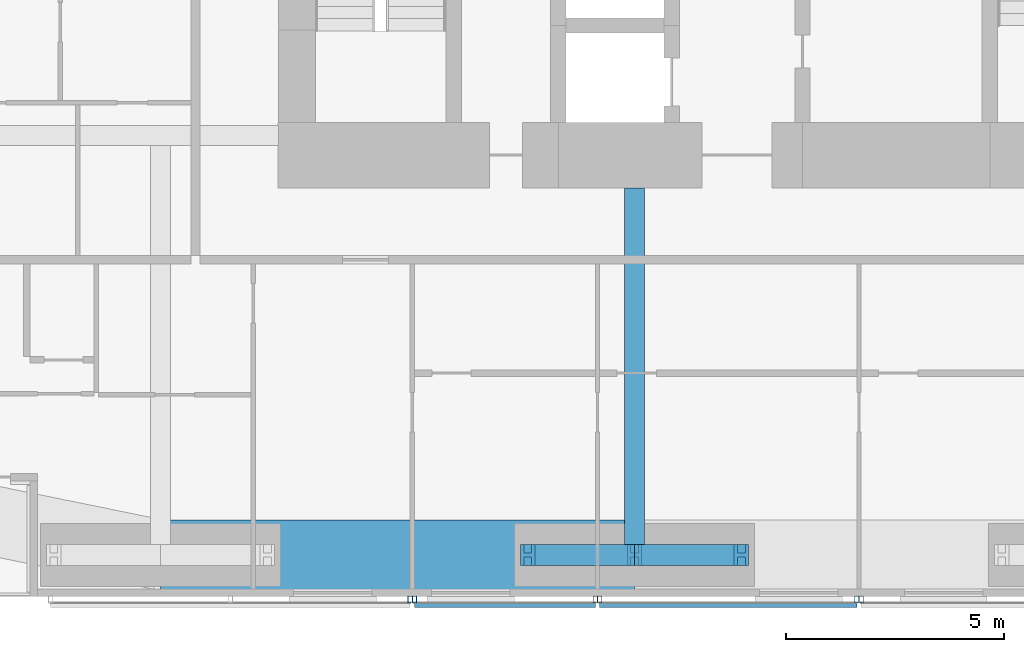
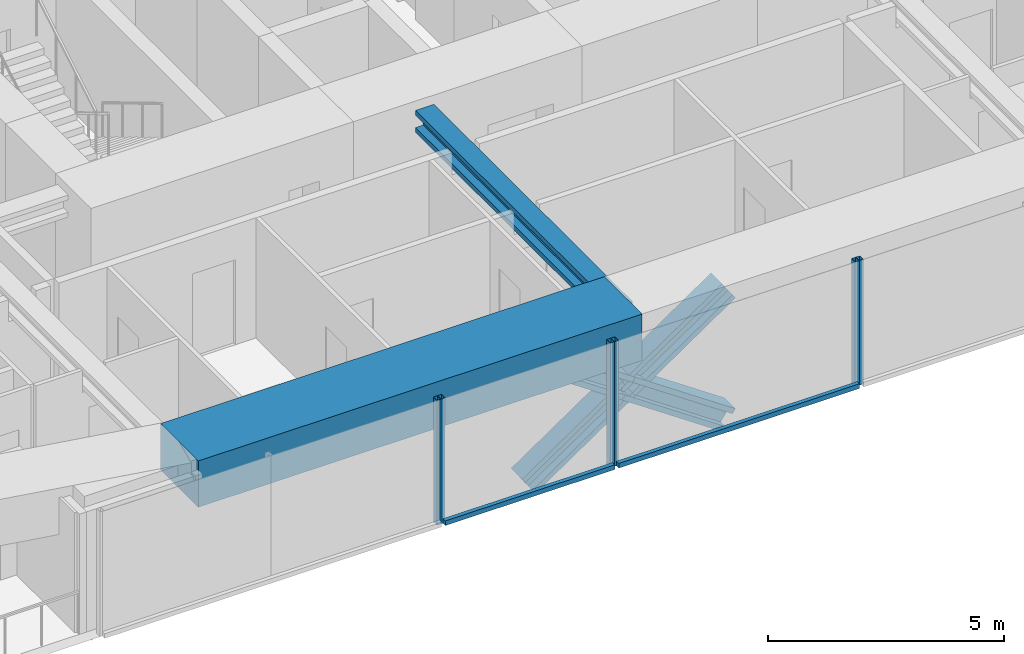
# One storey, part 4 of 23: 12 members, 2 beams, 4 elements without a shape of their own.
"""IFC4 building model written with IfcOpenShell, lengths in metres."""

from ifc_helpers import new_model, si_unit, direction, frame, origin, origin_2d, place, context, subcontext, project, spatial, rectangle, hollow_rectangle, i_section, extrude, material, material_profile, profile_set, type_object, element, aggregate, save


model = new_model("IFC4")

# Units and contexts
model_context = context("Model", 3, precision=1e-05, world=origin(), true_north=direction((0.0, 1.0)))
body_context = subcontext(model_context, "Body", "Model", "MODEL_VIEW")
ifc_project = project(units=[si_unit("LENGTHUNIT", "METRE"), si_unit("AREAUNIT", "SQUARE_METRE"), si_unit("VOLUMEUNIT", "CUBIC_METRE"), si_unit("PLANEANGLEUNIT", "RADIAN"), si_unit("MASSUNIT", "GRAM", prefix="KILO")], contexts=[model_context])

# Site, building, storey
site_placement = place(None, origin())
site = spatial("IfcSite", under=ifc_project, at=site_placement, CompositionType="ELEMENT")
building_placement = place(site_placement, origin())
building = spatial("IfcBuilding", under=site, at=building_placement, Name="Jalousie Tower", CompositionType="ELEMENT")
storey_placement = place(building_placement, frame((0.0, 0.0, 121.60009765625)))
storey = spatial("IfcBuildingStorey", under=building, at=storey_placement, Name="L33", CompositionType="ELEMENT", Elevation=121.60009765625)

# Beam
ifc_material_1 = material(Name="Steel ASTM A992 Grade 50", Category="steel")
ifc_material_profile_1 = material_profile(ifc_material_1, i_section(OverallWidth=0.45458984375, OverallDepth=0.569091796875, WebThickness=0.077880859375, FlangeThickness=0.124755859375, at=origin_2d()), Name="W14X730")
ifc_profile_set_1 = profile_set([ifc_material_profile_1], Name="Steel ASTM A992 Grade 50")
beam_type_1 = type_object("IfcBeamType", Name="LEAN COLLECTOR W14X730", PredefinedType="BEAM", material=ifc_profile_set_1)
beam_1_placement = place(storey_placement, frame((27.75, 0.949951171875, 2.825439453125), z_axis=(0.0, 1.0, 0.0), x_axis=(-1.0, 0.0, 0.0)))
element("IfcBeam", 1, at=beam_1_placement, inside=storey, type_object=beam_type_1, Name="Lean collector under L34", PredefinedType="BEAM", context=body_context, shape_type="SweptSolid", body=[
    extrude(i_section(OverallWidth=0.45458984375, OverallDepth=0.569091796875, WebThickness=0.077880859375, FlangeThickness=0.124755859375, at=origin_2d()), origin(), (0.0, 0.0, 1.0), 8.425048828125),
])

# Members
ifc_material_2 = material(Name="Steel ASTM A992 Grade 50", Category="steel")
ifc_material_profile_2 = material_profile(ifc_material_2, i_section(OverallWidth=0.472412109375, OverallDepth=0.5791015625, WebThickness=0.094970703125, FlangeThickness=0.1298828125, at=origin_2d()), Name="W14X808")
ifc_profile_set_2 = profile_set([ifc_material_profile_2], Name="Steel ASTM A992 Grade 50")
member_type_1 = type_object("IfcMemberType", Name="PERIMETER BRACE W14X808", PredefinedType="BRACE", material=ifc_profile_set_2)
for number, where, z_axis, x_axis, name in (
    (2, (25.300048828125, 0.949951171875, -0.60009765625), (0.825500916831, 0.0, 0.564400776321), (0.0, 1.0, 0.0), "Perimeter brace 03 L33 part 1"),
    (3, (27.75, 0.949951171875, 1.074951171875), (0.825500916831, 0.0, 0.564400776321), (0.0, 1.0, 0.0), "Perimeter brace 03 L33 part 2"),
    (4, (30.199951171875, 0.949951171875, -0.60009765625), (-0.825500916831, 0.0, 0.564400776321), (0.0, -1.0, 0.0), "Perimeter brace 03 L33 part 3"),
    (5, (27.75, 0.949951171875, 1.074951171875), (-0.825500916831, 0.0, 0.564400776321), (0.0, -1.0, 0.0), "Perimeter brace 03 L33 part 4"),
):
    element("IfcMember", number, at=place(storey_placement, frame(where, z_axis=z_axis, x_axis=x_axis)), inside=storey, type_object=member_type_1, Name=name, PredefinedType="BRACE", context=body_context, shape_type="SweptSolid", body=[
        extrude(i_section(OverallWidth=0.472412109375, OverallDepth=0.5791015625, WebThickness=0.094970703125, FlangeThickness=0.1298828125, at=origin_2d()), origin(), (0.0, 0.0, 1.0), 2.9677734375),
    ])

# Beam
ifc_material_3 = material(Name="Concrete f'c 40 MPa", Category="concrete")
ifc_material_profile_3 = material_profile(ifc_material_3, rectangle(XDim=1.60009765625, YDim=1.199951171875, at=origin_2d()), Name="RC 1600x1200")
ifc_profile_set_3 = profile_set([ifc_material_profile_3], Name="Concrete f'c 40 MPa")
beam_type_2 = type_object("IfcBeamType", Name="RC BEAM 1600x1200", PredefinedType="BEAM", material=ifc_profile_set_3)
beam_2_placement = place(storey_placement, frame((16.875, 0.949951171875, 2.75), z_axis=(1.0, 0.0, 0.0), x_axis=(0.0, 1.0, 0.0)))
element("IfcBeam", 6, at=beam_2_placement, inside=storey, type_object=beam_type_2, Name="Edge band beam 02-03 under L34", PredefinedType="BEAM", context=body_context, shape_type="SweptSolid", body=[
    extrude(rectangle(XDim=1.60009765625, YDim=1.199951171875, at=origin_2d()), origin(), (0.0, 0.0, 1.0), 10.875),
])

# Curtain wall, member
ifc_material_4 = material(Name="Perforated aluminium sheet", Category="aluminium")
curtain_wall_type = type_object("IfcCurtainWallType", Name="SOLAR SCREEN SS-1", PredefinedType="USERDEFINED", material=ifc_material_4)
curtain_wall_1_placement = place(storey_placement, origin())
curtain_wall_1 = element("IfcCurtainWall", 7, at=curtain_wall_1_placement, inside=storey, type_object=curtain_wall_type, Name="Solar screen L33", ObjectType="SOLAR SCREEN SS-1", PredefinedType="USERDEFINED")
ifc_material_5 = material(Name="Steel ASTM A500 Grade C", Category="steel")
ifc_material_profile_4 = material_profile(ifc_material_5, hollow_rectangle(XDim=0.1015625, YDim=0.15234375, WallThickness=0.00634765625, at=origin_2d()), Name="HSS6X4X1/4")
ifc_profile_set_4 = profile_set([ifc_material_profile_4], Name="Steel ASTM A500 Grade C")
member_type_2 = type_object("IfcMemberType", Name="SOLAR SCREEN SS-1 MULLION", PredefinedType="MULLION", material=ifc_profile_set_4)
member_1_placement = place(storey_placement, frame((22.60009765625, -0.0712890625, -0.1201171875), z_axis=(0.0, 0.0, 1.0), x_axis=(1.0, 0.0, 0.0)))
member_1 = element("IfcMember", 8, at=member_1_placement, type_object=member_type_2, Name="SS1 post 3", PredefinedType="MULLION", context=body_context, shape_type="SweptSolid", body=[
    extrude(hollow_rectangle(XDim=0.1015625, YDim=0.15234375, WallThickness=0.00634765625, at=origin_2d()), origin(), (0.0, 0.0, 1.0), 3.22998046875),
])
aggregate(curtain_wall_1, [member_1])

# Curtain wall, members
curtain_wall_2_placement = place(storey_placement, origin())
curtain_wall_2 = element("IfcCurtainWall", 9, at=curtain_wall_2_placement, inside=storey, type_object=curtain_wall_type, Name="Solar screen L33", ObjectType="SOLAR SCREEN SS-1", PredefinedType="USERDEFINED")
member_2_placement = place(storey_placement, frame((22.699951171875, -0.0712890625, -0.1201171875), z_axis=(0.0, 0.0, 1.0), x_axis=(1.0, 0.0, 0.0)))
member_2 = element("IfcMember", 10, at=member_2_placement, type_object=member_type_2, Name="SS1 post 1", PredefinedType="MULLION", context=body_context, shape_type="SweptSolid", body=[
    extrude(hollow_rectangle(XDim=0.1015625, YDim=0.15234375, WallThickness=0.00634765625, at=origin_2d()), origin(), (0.0, 0.0, 1.0), 3.22998046875),
])
member_3_placement = place(storey_placement, frame((26.85009765625, -0.0712890625, -0.1201171875), z_axis=(0.0, 0.0, 1.0), x_axis=(1.0, 0.0, 0.0)))
member_3 = element("IfcMember", 11, at=member_3_placement, type_object=member_type_2, Name="SS1 post 2", PredefinedType="MULLION", context=body_context, shape_type="SweptSolid", body=[
    extrude(hollow_rectangle(XDim=0.1015625, YDim=0.15234375, WallThickness=0.00634765625, at=origin_2d()), origin(), (0.0, 0.0, 1.0), 3.22998046875),
])

curtain_wall_3_placement = place(storey_placement, origin())
curtain_wall_3 = element("IfcCurtainWall", 12, at=curtain_wall_3_placement, inside=storey, type_object=curtain_wall_type, Name="Solar screen L33", ObjectType="SOLAR SCREEN SS-1", PredefinedType="USERDEFINED")
member_4_placement = place(storey_placement, frame((26.949951171875, -0.0712890625, -0.1201171875), z_axis=(0.0, 0.0, 1.0), x_axis=(1.0, 0.0, 0.0)))
member_4 = element("IfcMember", 13, at=member_4_placement, type_object=member_type_2, Name="SS1 post 1", PredefinedType="MULLION", context=body_context, shape_type="SweptSolid", body=[
    extrude(hollow_rectangle(XDim=0.1015625, YDim=0.15234375, WallThickness=0.00634765625, at=origin_2d()), origin(), (0.0, 0.0, 1.0), 3.22998046875),
])
member_5_placement = place(storey_placement, frame((32.85009765625, -0.0712890625, -0.1201171875), z_axis=(0.0, 0.0, 1.0), x_axis=(1.0, 0.0, 0.0)))
member_5 = element("IfcMember", 14, at=member_5_placement, type_object=member_type_2, Name="SS1 post 2", PredefinedType="MULLION", context=body_context, shape_type="SweptSolid", body=[
    extrude(hollow_rectangle(XDim=0.1015625, YDim=0.15234375, WallThickness=0.00634765625, at=origin_2d()), origin(), (0.0, 0.0, 1.0), 3.22998046875),
])

# Curtain wall, member
curtain_wall_4_placement = place(storey_placement, origin())
curtain_wall_4 = element("IfcCurtainWall", 15, at=curtain_wall_4_placement, inside=storey, type_object=curtain_wall_type, Name="Solar screen L33", ObjectType="SOLAR SCREEN SS-1", PredefinedType="USERDEFINED")
member_6_placement = place(storey_placement, frame((32.949951171875, -0.0712890625, -0.1201171875), z_axis=(0.0, 0.0, 1.0), x_axis=(1.0, 0.0, 0.0)))
member_6 = element("IfcMember", 16, at=member_6_placement, type_object=member_type_2, Name="SS1 post 1", PredefinedType="MULLION", context=body_context, shape_type="SweptSolid", body=[
    extrude(hollow_rectangle(XDim=0.1015625, YDim=0.15234375, WallThickness=0.00634765625, at=origin_2d()), origin(), (0.0, 0.0, 1.0), 3.22998046875),
])
aggregate(curtain_wall_4, [member_6])

# Member
ifc_material_6 = material(Name="Extruded aluminium screen rail", Category="aluminium")
ifc_material_profile_5 = material_profile(ifc_material_6, rectangle(XDim=0.1015625, YDim=0.1201171875, at=origin_2d()), Name="RAIL 102x120")
ifc_profile_set_5 = profile_set([ifc_material_profile_5], Name="Extruded aluminium screen rail")
member_type_3 = type_object("IfcMemberType", Name="SOLAR SCREEN SS-1 TRANSOM", PredefinedType="USERDEFINED", material=ifc_profile_set_5)
member_7_placement = place(storey_placement, frame((22.699951171875, -0.1982421875, -0.06005859375), z_axis=(1.0, 0.0, 0.0), x_axis=(0.0, 1.0, 0.0)))
member_7 = element("IfcMember", 17, at=member_7_placement, type_object=member_type_3, Name="SS1 rail", ObjectType="TRANSOM", PredefinedType="USERDEFINED", context=body_context, shape_type="SweptSolid", body=[
    extrude(rectangle(XDim=0.1015625, YDim=0.1201171875, at=origin_2d()), origin(), (0.0, 0.0, 1.0), 4.150146484375),
])

aggregate(curtain_wall_2, [member_2, member_3, member_7])

member_8_placement = place(storey_placement, frame((26.949951171875, -0.1982421875, -0.06005859375), z_axis=(1.0, 0.0, 0.0), x_axis=(0.0, 1.0, 0.0)))
member_8 = element("IfcMember", 18, at=member_8_placement, type_object=member_type_3, Name="SS1 rail", ObjectType="TRANSOM", PredefinedType="USERDEFINED", context=body_context, shape_type="SweptSolid", body=[
    extrude(rectangle(XDim=0.1015625, YDim=0.1201171875, at=origin_2d()), origin(), (0.0, 0.0, 1.0), 5.900146484375),
])

aggregate(curtain_wall_3, [member_4, member_5, member_8])

save(model, "model.ifc")
